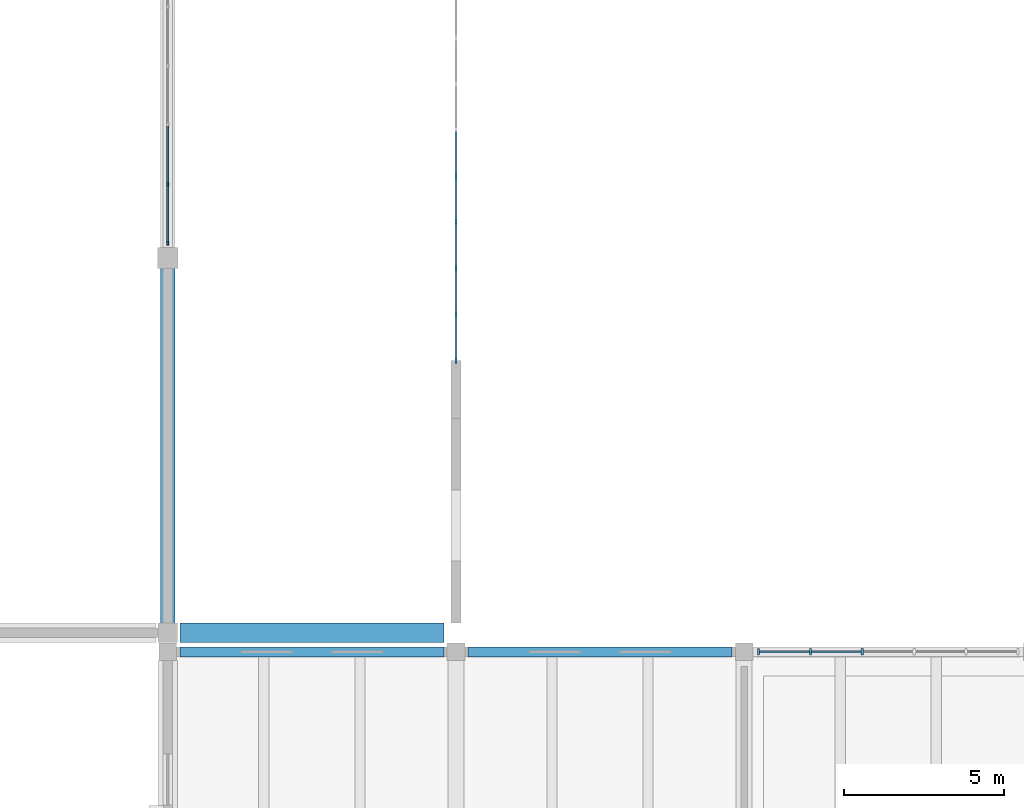
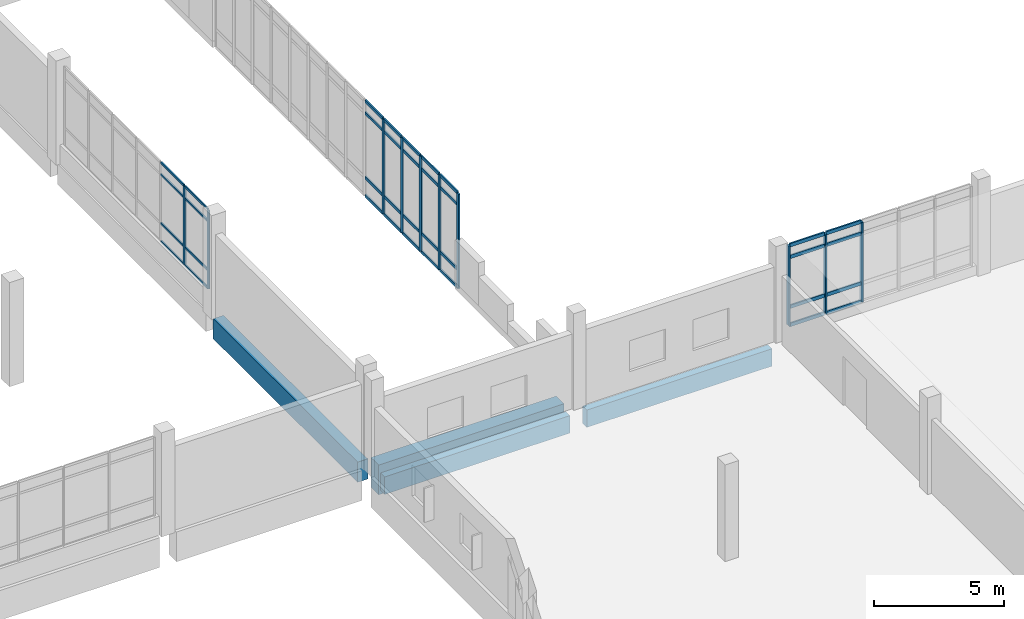
# One storey, part 19 of 63: 46 members, 4 beams, 3 elements without a shape of their own.
"""IFC4 building model written with IfcOpenShell, lengths in metres."""

import ifcopenshell
import ifcopenshell.guid

model = None  # the IFC model being written
_history = None  # IfcOwnerHistory: only IFC2X3 demands one
_inside = {}  # id of a spatial element -> (the spatial element, [elements in it])
_under = {}  # id of a project, library or spatial element -> (it, [spatial elements below it])
_declared = {}  # id of a project -> (the project, [libraries it declares])
_typed = {}  # id of a type object -> (the type object, [elements of that type])
_made_of = {}  # id of a material, layer set ... -> (it, [elements and type objects made of it])


def new_model(schema):
    """Start an empty IFC model of exactly this schema.

    Asked for "IFC4X3", IfcOpenShell would pick the latest addendum, in which some entities
    have other attributes; the version numbers below select the first issue.
    IFC2X3 requires an IfcOwnerHistory on every rooted entity: one is made here for all.
    """
    global model, _history
    if schema == "IFC4X3":
        model = ifcopenshell.file(schema_version=(4, 3, 0, 0))
    else:
        model = ifcopenshell.file(schema=schema)
    _inside.clear()
    _under.clear()
    _declared.clear()
    _typed.clear()
    _made_of.clear()
    _history = None
    if model.schema == "IFC2X3":
        org = make("IfcOrganization", Name="unknown")
        user = make(
            "IfcPersonAndOrganization",
            ThePerson=make("IfcPerson", FamilyName="unknown"),
            TheOrganization=org,
        )
        app = make(
            "IfcApplication",
            ApplicationDeveloper=org,
            Version="unknown",
            ApplicationFullName="unknown",
            ApplicationIdentifier="unknown",
        )
        _history = make(
            "IfcOwnerHistory",
            OwningUser=user,
            OwningApplication=app,
            ChangeAction="ADDED",
            CreationDate=0,
        )
    return model


def make(cls, **values):
    """One entity of the class cls with the attributes given. An attribute that is None is left unset."""
    return model.create_entity(
        cls, **{name: value for name, value in values.items() if value is not None}
    )


def rooted(cls, **values):
    """An entity with a GlobalId (a new one), such as an element, a storey or a relation."""
    return make(cls, GlobalId=ifcopenshell.guid.new(), OwnerHistory=_history, **values)


def si_unit(unit_type, name, prefix=None):
    """IfcSIUnit, for example si_unit("LENGTHUNIT", "METRE", prefix="MILLI")."""
    return make("IfcSIUnit", UnitType=unit_type, Prefix=prefix, Name=name)


def assignment(units):
    """IfcUnitAssignment: the units of a project."""
    return None if units is None else make("IfcUnitAssignment", Units=units)


def point(xyz):
    """IfcCartesianPoint."""
    return None if xyz is None else make("IfcCartesianPoint", Coordinates=xyz)


def direction(xyz):
    """IfcDirection."""
    return None if xyz is None else make("IfcDirection", DirectionRatios=xyz)


def frame(location, z_axis=None, x_axis=None):
    """IfcAxis2Placement3D, a coordinate frame: its origin and axes. An axis left out is left unset."""
    return make(
        "IfcAxis2Placement3D",
        Location=point(location),
        Axis=direction(z_axis),
        RefDirection=direction(x_axis),
    )


def frame_2d(location, x_axis=None):
    """IfcAxis2Placement2D, a coordinate frame in the plane: its origin and x axis."""
    return make(
        "IfcAxis2Placement2D", Location=point(location), RefDirection=direction(x_axis)
    )


def origin():
    """The frame at (0, 0, 0) with its axes left unset."""
    return frame((0.0, 0.0, 0.0))


def origin_2d():
    """The frame at (0, 0) in the plane with its x axis left unset."""
    return frame_2d((0.0, 0.0))


def place(relative_to, where):
    """IfcLocalPlacement: puts the frame where relative to a parent placement (None: the world)."""
    return make(
        "IfcLocalPlacement", PlacementRelTo=relative_to, RelativePlacement=where
    )


def context(
    kind, dimensions, precision=None, world=None, true_north=None, identifier=None
):
    """IfcGeometricRepresentationContext, for example the 3D "Model" context."""
    return make(
        "IfcGeometricRepresentationContext",
        ContextIdentifier=identifier,
        ContextType=kind,
        CoordinateSpaceDimension=dimensions,
        Precision=precision,
        WorldCoordinateSystem=world,
        TrueNorth=true_north,
    )


def subcontext(parent, identifier, kind, view, scale=None):
    """IfcGeometricRepresentationSubContext, for example "Body" below "Model"."""
    return make(
        "IfcGeometricRepresentationSubContext",
        ContextIdentifier=identifier,
        ContextType=kind,
        ParentContext=parent,
        TargetScale=scale,
        TargetView=view,
    )


def project(units=None, contexts=None):
    """IfcProject with its units and contexts."""
    return rooted(
        "IfcProject",
        Name="project",
        RepresentationContexts=contexts,
        UnitsInContext=assignment(units),
    )


def spatial(cls, under=None, at=None, **own):
    """A site, building, storey or space (cls), placed at a placement, below another one or the project."""
    s = rooted(cls, ObjectPlacement=at, **own)
    if under is not None:
        _under.setdefault(under.id(), (under, []))[1].append(s)
    return s


def profile(cls, at=None, kind="AREA", **sizes):
    """A parametric profile (cls). Its sizes go by their IFC names, for example OverallWidth=200.0."""
    return make(cls, ProfileType=kind, Position=at, **sizes)


def rectangle(**sizes):
    """IfcRectangleProfileDef."""
    return profile("IfcRectangleProfileDef", **sizes)


def extrude(swept, where, along, depth):
    """IfcExtrudedAreaSolid: the profile swept, set in the frame where, extruded along a direction by depth."""
    return make(
        "IfcExtrudedAreaSolid",
        SweptArea=swept,
        Position=where,
        ExtrudedDirection=direction(along),
        Depth=depth,
    )


def shape(context_of_items, identifier, shape_type, items):
    """IfcShapeRepresentation: the items that make up one representation, for example the "Body"."""
    return make(
        "IfcShapeRepresentation",
        ContextOfItems=context_of_items,
        RepresentationIdentifier=identifier,
        RepresentationType=shape_type,
        Items=items,
    )


def material(Name=None, Category=None):
    """IfcMaterial."""
    return make("IfcMaterial", Name=Name, Category=Category)


def layer(
    of_material, thickness, ventilated=None, Name=None, Category=None, Priority=None
):
    """IfcMaterialLayer: one layer of a wall or slab, of a material (None: an air gap)."""
    return make(
        "IfcMaterialLayer",
        Material=of_material,
        LayerThickness=thickness,
        IsVentilated=ventilated,
        Name=Name,
        Category=Category,
        Priority=Priority,
    )


def layer_set(layers, Name=None):
    """IfcMaterialLayerSet."""
    return make("IfcMaterialLayerSet", MaterialLayers=layers, LayerSetName=Name)


def material_profile(
    of_material, cross_section, Name=None, Category=None, Priority=None
):
    """IfcMaterialProfile: a cross section and its material."""
    return make(
        "IfcMaterialProfile",
        Name=Name,
        Material=of_material,
        Profile=cross_section,
        Priority=Priority,
        Category=Category,
    )


def profile_set(profiles, Name=None, composite=None):
    """IfcMaterialProfileSet."""
    return make(
        "IfcMaterialProfileSet",
        Name=Name,
        MaterialProfiles=profiles,
        CompositeProfile=composite,
    )


def made_of(thing, what):
    """Note that an element or type object is made of a material, layer set ...; save() writes the relation."""
    if what is not None:
        _made_of.setdefault(what.id(), (what, []))[1].append(thing)
    return thing


def type_object(cls, material=None, **own):
    """A type object (cls), such as IfcWallType, which elements share."""
    return made_of(rooted(cls, **own), material)


def element(
    cls,
    number,
    at=None,
    inside=None,
    cuts=None,
    type_object=None,
    material=None,
    context=None,
    identifier="Body",
    shape_type=None,
    held_by="IfcProductDefinitionShape",
    body=None,
    shapes=None,
    **own,
):
    """One element of the class cls, such as IfcWall. Its Tag is "e" and its number.

    at: its placement. inside: the storey or other place that contains it. cuts: it is an
    opening in that element (IfcRelVoidsElement). A single representation is given by context,
    identifier, shape_type and body (its items); several are given by shapes. held_by: the class
    of the entity that holds the representations. save() writes the other relations.
    """
    e = rooted(cls, Tag="e%d" % number, ObjectPlacement=at, **own)
    if body is not None:
        shapes = [shape(context, identifier, shape_type, body)]
    if shapes is not None:
        e.Representation = make(held_by, Representations=shapes)
    if inside is not None:
        _inside.setdefault(inside.id(), (inside, []))[1].append(e)
    if cuts is not None:
        rooted(
            "IfcRelVoidsElement", RelatingBuildingElement=cuts, RelatedOpeningElement=e
        )
    if type_object is not None:
        _typed.setdefault(type_object.id(), (type_object, []))[1].append(e)
    return made_of(e, material)


def aggregate(whole, parts):
    """IfcRelAggregates: a whole, such as a stair, and the parts it consists of."""
    return rooted("IfcRelAggregates", RelatingObject=whole, RelatedObjects=parts)


def save(model, path):
    """Write the relations noted so far, then the file.

    IfcRelAggregates (storeys below a building ...), IfcRelContainedInSpatialStructure (elements
    in a storey), IfcRelDefinesByType, IfcRelAssociatesMaterial and IfcRelDeclares: one each for
    every whole, place, type object, material and project.
    """
    for whole, parts in _under.values():
        aggregate(whole, parts)
    for where, things in _inside.values():
        rooted(
            "IfcRelContainedInSpatialStructure",
            RelatedElements=things,
            RelatingStructure=where,
        )
    for kind, things in _typed.values():
        rooted("IfcRelDefinesByType", RelatedObjects=things, RelatingType=kind)
    for what, things in _made_of.values():
        rooted("IfcRelAssociatesMaterial", RelatedObjects=things, RelatingMaterial=what)
    for by, libraries in _declared.values():
        rooted("IfcRelDeclares", RelatingContext=by, RelatedDefinitions=libraries)
    model.write(path)


model = new_model("IFC4")

# Units and contexts
model_context = context("Model", 3, precision=1e-05, world=origin(), true_north=direction((0.0, 1.0)))
body_context = subcontext(model_context, "Body", "Model", "MODEL_VIEW")
ifc_project = project(units=[si_unit("LENGTHUNIT", "METRE"), si_unit("AREAUNIT", "SQUARE_METRE"), si_unit("VOLUMEUNIT", "CUBIC_METRE"), si_unit("PLANEANGLEUNIT", "RADIAN"), si_unit("MASSUNIT", "GRAM", prefix="KILO")], contexts=[model_context])

# Site, building, storey
site_placement = place(None, origin())
site = spatial("IfcSite", under=ifc_project, at=site_placement, CompositionType="ELEMENT")
building_placement = place(site_placement, origin())
building = spatial("IfcBuilding", under=site, at=building_placement, Name="Zacnel Wholesale Market", CompositionType="ELEMENT")
storey_placement = place(building_placement, frame((0.0, 0.0, 11.199951171875)))
storey = spatial("IfcBuildingStorey", under=building, at=storey_placement, Name="L03", CompositionType="ELEMENT", Elevation=11.199951171875)

# Beams
ifc_material_1 = material(Name="Precast concrete C45/55", Category="concrete")
ifc_material_profile_1 = material_profile(ifc_material_1, rectangle(XDim=0.449951171875, YDim=0.949951171875, at=origin_2d()), Name="PG 450x950")
ifc_profile_set_1 = profile_set([ifc_material_profile_1], Name="Precast concrete C45/55")
beam_type_1 = type_object("IfcBeamType", Name="BM-PG950", PredefinedType="BEAM", material=ifc_profile_set_1)
beam_1_placement = place(storey_placement, frame((180.0, 96.580078125, -0.474853515625), z_axis=(0.0, 1.0, 0.0), x_axis=(-1.0, 0.0, 0.0)))
element("IfcBeam", 1, at=beam_1_placement, inside=storey, type_object=beam_type_1, Name="Crossing drum base girder Y-04", PredefinedType="BEAM", context=body_context, shape_type="SweptSolid", body=[
    extrude(rectangle(XDim=0.449951171875, YDim=0.949951171875, at=origin_2d()), origin(), (0.0, 0.0, 1.0), 11.139892578125),
])
ifc_material_2 = material(Name="Concrete C40/50", Category="concrete")
ifc_material_profile_2 = material_profile(ifc_material_2, rectangle(XDim=0.60009765625, YDim=1.39990234375, at=origin_2d()), Name="PTB 600x1400")
ifc_profile_set_2 = profile_set([ifc_material_profile_2], Name="Concrete C40/50")
beam_type_2 = type_object("IfcBeamType", Name="BM-PTB1400", PredefinedType="BEAM", material=ifc_profile_set_2)
beam_2_placement = place(storey_placement, frame((180.375, 96.300048828125, -0.699951171875), z_axis=(1.0, 0.0, 0.0), x_axis=(0.0, 1.0, 0.0)))
element("IfcBeam", 2, at=beam_2_placement, inside=storey, type_object=beam_type_2, Name="Precast girder X-0748", PredefinedType="BEAM", context=body_context, shape_type="SweptSolid", body=[
    extrude(rectangle(XDim=0.60009765625, YDim=1.39990234375, at=origin_2d()), origin(), (0.0, 0.0, 1.0), 8.25),
])
ifc_material_3 = material(Name="Precast concrete C45/55", Category="concrete")
ifc_material_profile_3 = material_profile(ifc_material_3, rectangle(XDim=0.320068359375, YDim=0.820068359375, at=origin_2d()), Name="SP 320x820")
ifc_profile_set_3 = profile_set([ifc_material_profile_3], Name="Precast concrete C45/55")
beam_type_3 = type_object("IfcBeamType", Name="BM-SP820", PredefinedType="SPANDREL", material=ifc_profile_set_3)
for number, where, z_axis, x_axis, name in (
    (3, (180.375, 95.699951171875, -0.68994140625), (1.0, 0.0, 0.0), (0.0, 1.0, 0.0), "Precast girder X-0726"),
    (4, (189.375, 95.699951171875, -0.68994140625), (1.0, 0.0, 0.0), (0.0, 1.0, 0.0), "Precast girder X-0727"),
):
    element("IfcBeam", number, at=place(storey_placement, frame(where, z_axis=z_axis, x_axis=x_axis)), inside=storey, type_object=beam_type_3, Name=name, PredefinedType="SPANDREL", context=body_context, shape_type="SweptSolid", body=[
        extrude(rectangle(XDim=0.320068359375, YDim=0.820068359375, at=origin_2d()), origin(), (0.0, 0.0, 1.0), 8.25),
    ])

# Curtain wall, members
ifc_material_4 = material(Name="Anodised aluminium", Category="aluminium")
ifc_layer_1 = layer(ifc_material_4, 0.159912109375)
ifc_layer_set_1 = layer_set([ifc_layer_1], Name="Anodised aluminium")
curtain_wall_type_1 = type_object("IfcCurtainWallType", Name="CW-COURT-4500", PredefinedType="NOTDEFINED", material=ifc_layer_set_1)
curtain_wall_1_placement = place(storey_placement, origin())
curtain_wall_1 = element("IfcCurtainWall", 5, at=curtain_wall_1_placement, inside=storey, type_object=curtain_wall_type_1, Name="Curtain wall ENV-R2-CW-L03-050", PredefinedType="NOTDEFINED")
ifc_material_5 = material(Name="Anodised aluminium", Category="aluminium")
ifc_material_profile_4 = material_profile(ifc_material_5, rectangle(XDim=0.070068359375, YDim=0.199951171875, at=origin_2d()), Name="AW-MULLION 70x200")
ifc_profile_set_4 = profile_set([ifc_material_profile_4], Name="Anodised aluminium")
member_type_1 = type_object("IfcMemberType", Name="CWM-MUL-02", PredefinedType="MULLION", material=ifc_profile_set_4)
member_1_placement = place(storey_placement, frame((198.449951171875, 95.699951171875, 0.449951171875), z_axis=(0.0, 0.0, 1.0), x_axis=(1.0, 0.0, 0.0)))
member_1 = element("IfcMember", 6, at=member_1_placement, type_object=member_type_1, Name="ENV-R2-CW-L03-050 mullion 01", PredefinedType="MULLION", context=body_context, shape_type="SweptSolid", body=[
    extrude(rectangle(XDim=0.070068359375, YDim=0.199951171875, at=origin_2d()), origin(), (0.0, 0.0, 1.0), 3.75),
])
member_2_placement = place(storey_placement, frame((200.070068359375, 95.699951171875, 0.449951171875), z_axis=(0.0, 0.0, 1.0), x_axis=(1.0, 0.0, 0.0)))
member_2 = element("IfcMember", 7, at=member_2_placement, type_object=member_type_1, Name="ENV-R2-CW-L03-050 mullion 02", PredefinedType="MULLION", context=body_context, shape_type="SweptSolid", body=[
    extrude(rectangle(XDim=0.070068359375, YDim=0.199951171875, at=origin_2d()), origin(), (0.0, 0.0, 1.0), 3.75),
])
member_3_placement = place(storey_placement, frame((201.68994140625, 95.699951171875, 0.449951171875), z_axis=(0.0, 0.0, 1.0), x_axis=(1.0, 0.0, 0.0)))
member_3 = element("IfcMember", 8, at=member_3_placement, type_object=member_type_1, Name="ENV-R2-CW-L03-050 mullion 03", PredefinedType="MULLION", context=body_context, shape_type="SweptSolid", body=[
    extrude(rectangle(XDim=0.070068359375, YDim=0.199951171875, at=origin_2d()), origin(), (0.0, 0.0, 1.0), 3.75),
])

ifc_material_6 = material(Name="Anodised aluminium", Category="aluminium")
ifc_layer_2 = layer(ifc_material_6, 0.159912109375)
ifc_layer_set_2 = layer_set([ifc_layer_2], Name="Anodised aluminium")
curtain_wall_type_2 = type_object("IfcCurtainWallType", Name="CW-NAVE-4200", PredefinedType="NOTDEFINED", material=ifc_layer_set_2)
curtain_wall_2_placement = place(storey_placement, origin())
curtain_wall_2 = element("IfcCurtainWall", 9, at=curtain_wall_2_placement, inside=storey, type_object=curtain_wall_type_2, Name="Curtain wall ENV-CW-GABLE-NW-E", PredefinedType="NOTDEFINED")
ifc_material_7 = material(Name="Anodised aluminium", Category="aluminium")
ifc_material_profile_5 = material_profile(ifc_material_7, rectangle(XDim=0.06494140625, YDim=0.179931640625, at=origin_2d()), Name="AW-MULLION 65x180")
ifc_profile_set_5 = profile_set([ifc_material_profile_5], Name="Anodised aluminium")
member_type_2 = type_object("IfcMemberType", Name="CWM-MUL-03", PredefinedType="MULLION", material=ifc_profile_set_5)
member_4_placement = place(storey_placement, frame((189.0, 104.800048828125, 0.0), z_axis=(0.0, 0.0, 1.0), x_axis=(1.0, 0.0, 0.0)))
member_4 = element("IfcMember", 10, at=member_4_placement, type_object=member_type_2, Name="ENV-CW-GABLE-NW-E mullion 01", PredefinedType="MULLION", context=body_context, shape_type="SweptSolid", body=[
    extrude(rectangle(XDim=0.06494140625, YDim=0.179931640625, at=origin_2d()), origin(), (0.0, 0.0, 1.0), 4.449951171875),
])
member_5_placement = place(storey_placement, frame((189.0, 106.238525390625, 0.0), z_axis=(0.0, 0.0, 1.0), x_axis=(1.0, 0.0, 0.0)))
member_5 = element("IfcMember", 11, at=member_5_placement, type_object=member_type_2, Name="ENV-CW-GABLE-NW-E mullion 02", PredefinedType="MULLION", context=body_context, shape_type="SweptSolid", body=[
    extrude(rectangle(XDim=0.06494140625, YDim=0.179931640625, at=origin_2d()), origin(), (0.0, 0.0, 1.0), 4.449951171875),
])
member_6_placement = place(storey_placement, frame((189.0, 107.677001953125, 0.0), z_axis=(0.0, 0.0, 1.0), x_axis=(1.0, 0.0, 0.0)))
member_6 = element("IfcMember", 12, at=member_6_placement, type_object=member_type_2, Name="ENV-CW-GABLE-NW-E mullion 03", PredefinedType="MULLION", context=body_context, shape_type="SweptSolid", body=[
    extrude(rectangle(XDim=0.06494140625, YDim=0.179931640625, at=origin_2d()), origin(), (0.0, 0.0, 1.0), 4.449951171875),
])
member_7_placement = place(storey_placement, frame((189.0, 109.115478515625, 0.0), z_axis=(0.0, 0.0, 1.0), x_axis=(1.0, 0.0, 0.0)))
member_7 = element("IfcMember", 13, at=member_7_placement, type_object=member_type_2, Name="ENV-CW-GABLE-NW-E mullion 04", PredefinedType="MULLION", context=body_context, shape_type="SweptSolid", body=[
    extrude(rectangle(XDim=0.06494140625, YDim=0.179931640625, at=origin_2d()), origin(), (0.0, 0.0, 1.0), 4.449951171875),
])
member_8_placement = place(storey_placement, frame((189.0, 110.5537109375, 0.0), z_axis=(0.0, 0.0, 1.0), x_axis=(1.0, 0.0, 0.0)))
member_8 = element("IfcMember", 14, at=member_8_placement, type_object=member_type_2, Name="ENV-CW-GABLE-NW-E mullion 05", PredefinedType="MULLION", context=body_context, shape_type="SweptSolid", body=[
    extrude(rectangle(XDim=0.06494140625, YDim=0.179931640625, at=origin_2d()), origin(), (0.0, 0.0, 1.0), 4.449951171875),
])

ifc_material_8 = material(Name="Anodised aluminium", Category="aluminium")
ifc_layer_3 = layer(ifc_material_8, 0.14990234375)
ifc_layer_set_3 = layer_set([ifc_layer_3], Name="Anodised aluminium")
curtain_wall_type_3 = type_object("IfcCurtainWallType", Name="CW-CLER-3600", PredefinedType="NOTDEFINED", material=ifc_layer_set_3)
curtain_wall_3_placement = place(storey_placement, origin())
curtain_wall_3 = element("IfcCurtainWall", 15, at=curtain_wall_3_placement, inside=storey, type_object=curtain_wall_type_3, Name="Curtain wall ENV-CW-XDRUM-E-2", PredefinedType="NOTDEFINED")
ifc_material_9 = material(Name="Anodised aluminium", Category="aluminium")
ifc_material_profile_6 = material_profile(ifc_material_9, rectangle(XDim=0.06005859375, YDim=0.1298828125, at=origin_2d()), Name="AW-MULLION 60x130")
ifc_profile_set_6 = profile_set([ifc_material_profile_6], Name="Anodised aluminium")
member_type_3 = type_object("IfcMemberType", Name="CWM-MUL-06", PredefinedType="MULLION", material=ifc_profile_set_6)
member_9_placement = place(storey_placement, frame((180.0, 108.4599609375, 0.900146484375), z_axis=(0.0, 0.0, 1.0), x_axis=(1.0, 0.0, 0.0)))
member_9 = element("IfcMember", 16, at=member_9_placement, type_object=member_type_3, Name="ENV-CW-XDRUM-E-2 mullion 01", PredefinedType="MULLION", context=body_context, shape_type="SweptSolid", body=[
    extrude(rectangle(XDim=0.06005859375, YDim=0.1298828125, at=origin_2d()), origin(), (0.0, 0.0, 1.0), 3.699951171875),
])
member_10_placement = place(storey_placement, frame((180.0, 110.306640625, 0.900146484375), z_axis=(0.0, 0.0, 1.0), x_axis=(1.0, 0.0, 0.0)))
member_10 = element("IfcMember", 17, at=member_10_placement, type_object=member_type_3, Name="ENV-CW-XDRUM-E-2 mullion 02", PredefinedType="MULLION", context=body_context, shape_type="SweptSolid", body=[
    extrude(rectangle(XDim=0.06005859375, YDim=0.1298828125, at=origin_2d()), origin(), (0.0, 0.0, 1.0), 3.699951171875),
])

# Member
ifc_material_10 = material(Name="Anodised aluminium", Category="aluminium")
ifc_material_profile_7 = material_profile(ifc_material_10, rectangle(XDim=0.070068359375, YDim=0.159912109375, at=origin_2d()), Name="AW-TRANSOM 70x160")
ifc_profile_set_7 = profile_set([ifc_material_profile_7], Name="Anodised aluminium")
member_type_4 = type_object("IfcMemberType", Name="CWM-TRN-02", PredefinedType="USERDEFINED", material=ifc_profile_set_7)
member_11_placement = place(storey_placement, frame((198.485107421875, 95.699951171875, 0.449951171875), z_axis=(1.0, 0.0, 0.0), x_axis=(0.0, 1.0, 0.0)))
member_11 = element("IfcMember", 18, at=member_11_placement, type_object=member_type_4, Name="ENV-R2-CW-L03-050 transom 1-1", ObjectType="TRANSOM", PredefinedType="USERDEFINED", context=body_context, shape_type="SweptSolid", body=[
    extrude(rectangle(XDim=0.070068359375, YDim=0.159912109375, at=origin_2d()), origin(), (0.0, 0.0, 1.0), 1.5498046875),
])

member_12_placement = place(storey_placement, frame((198.485107421875, 95.699951171875, 1.300048828125), z_axis=(1.0, 0.0, 0.0), x_axis=(0.0, 1.0, 0.0)))
member_12 = element("IfcMember", 19, at=member_12_placement, type_object=member_type_4, Name="ENV-R2-CW-L03-050 transom 1-2", ObjectType="TRANSOM", PredefinedType="USERDEFINED", context=body_context, shape_type="SweptSolid", body=[
    extrude(rectangle(XDim=0.070068359375, YDim=0.159912109375, at=origin_2d()), origin(), (0.0, 0.0, 1.0), 1.5498046875),
])

member_13_placement = place(storey_placement, frame((198.485107421875, 95.699951171875, 3.650146484375), z_axis=(1.0, 0.0, 0.0), x_axis=(0.0, 1.0, 0.0)))
member_13 = element("IfcMember", 20, at=member_13_placement, type_object=member_type_4, Name="ENV-R2-CW-L03-050 transom 1-3", ObjectType="TRANSOM", PredefinedType="USERDEFINED", context=body_context, shape_type="SweptSolid", body=[
    extrude(rectangle(XDim=0.070068359375, YDim=0.159912109375, at=origin_2d()), origin(), (0.0, 0.0, 1.0), 1.5498046875),
])

member_14_placement = place(storey_placement, frame((198.485107421875, 95.699951171875, 4.199951171875), z_axis=(1.0, 0.0, 0.0), x_axis=(0.0, 1.0, 0.0)))
member_14 = element("IfcMember", 21, at=member_14_placement, type_object=member_type_4, Name="ENV-R2-CW-L03-050 transom 1-4", ObjectType="TRANSOM", PredefinedType="USERDEFINED", context=body_context, shape_type="SweptSolid", body=[
    extrude(rectangle(XDim=0.070068359375, YDim=0.159912109375, at=origin_2d()), origin(), (0.0, 0.0, 1.0), 1.5498046875),
])

member_15_placement = place(storey_placement, frame((200.10498046875, 95.699951171875, 0.449951171875), z_axis=(1.0, 0.0, 0.0), x_axis=(0.0, 1.0, 0.0)))
member_15 = element("IfcMember", 22, at=member_15_placement, type_object=member_type_4, Name="ENV-R2-CW-L03-050 transom 2-1", ObjectType="TRANSOM", PredefinedType="USERDEFINED", context=body_context, shape_type="SweptSolid", body=[
    extrude(rectangle(XDim=0.070068359375, YDim=0.159912109375, at=origin_2d()), origin(), (0.0, 0.0, 1.0), 1.550048828125),
])

member_16_placement = place(storey_placement, frame((200.10498046875, 95.699951171875, 1.300048828125), z_axis=(1.0, 0.0, 0.0), x_axis=(0.0, 1.0, 0.0)))
member_16 = element("IfcMember", 23, at=member_16_placement, type_object=member_type_4, Name="ENV-R2-CW-L03-050 transom 2-2", ObjectType="TRANSOM", PredefinedType="USERDEFINED", context=body_context, shape_type="SweptSolid", body=[
    extrude(rectangle(XDim=0.070068359375, YDim=0.159912109375, at=origin_2d()), origin(), (0.0, 0.0, 1.0), 1.550048828125),
])

member_17_placement = place(storey_placement, frame((200.10498046875, 95.699951171875, 3.650146484375), z_axis=(1.0, 0.0, 0.0), x_axis=(0.0, 1.0, 0.0)))
member_17 = element("IfcMember", 24, at=member_17_placement, type_object=member_type_4, Name="ENV-R2-CW-L03-050 transom 2-3", ObjectType="TRANSOM", PredefinedType="USERDEFINED", context=body_context, shape_type="SweptSolid", body=[
    extrude(rectangle(XDim=0.070068359375, YDim=0.159912109375, at=origin_2d()), origin(), (0.0, 0.0, 1.0), 1.550048828125),
])

member_18_placement = place(storey_placement, frame((200.10498046875, 95.699951171875, 4.199951171875), z_axis=(1.0, 0.0, 0.0), x_axis=(0.0, 1.0, 0.0)))
member_18 = element("IfcMember", 25, at=member_18_placement, type_object=member_type_4, Name="ENV-R2-CW-L03-050 transom 2-4", ObjectType="TRANSOM", PredefinedType="USERDEFINED", context=body_context, shape_type="SweptSolid", body=[
    extrude(rectangle(XDim=0.070068359375, YDim=0.159912109375, at=origin_2d()), origin(), (0.0, 0.0, 1.0), 1.550048828125),
])

aggregate(curtain_wall_1, [member_1, member_2, member_3, member_11, member_12, member_13, member_14, member_15, member_16, member_17, member_18])

ifc_material_11 = material(Name="Anodised aluminium", Category="aluminium")
ifc_material_profile_8 = material_profile(ifc_material_11, rectangle(XDim=0.06494140625, YDim=0.139892578125, at=origin_2d()), Name="AW-TRANSOM 65x140")
ifc_profile_set_8 = profile_set([ifc_material_profile_8], Name="Anodised aluminium")
member_type_5 = type_object("IfcMemberType", Name="CWM-TRN-03", PredefinedType="USERDEFINED", material=ifc_profile_set_8)
member_19_placement = place(storey_placement, frame((189.0, 104.8349609375, 0.0), z_axis=(0.0, 1.0, 0.0), x_axis=(-1.0, 0.0, 0.0)))
member_19 = element("IfcMember", 26, at=member_19_placement, type_object=member_type_5, Name="ENV-CW-GABLE-NW-E transom 1-1", ObjectType="TRANSOM", PredefinedType="USERDEFINED", context=body_context, shape_type="SweptSolid", body=[
    extrude(rectangle(XDim=0.06494140625, YDim=0.139892578125, at=origin_2d()), origin(), (0.0, 0.0, 1.0), 1.36865234375),
])

member_20_placement = place(storey_placement, frame((189.0, 104.8349609375, 0.85009765625), z_axis=(0.0, 1.0, 0.0), x_axis=(-1.0, 0.0, 0.0)))
member_20 = element("IfcMember", 27, at=member_20_placement, type_object=member_type_5, Name="ENV-CW-GABLE-NW-E transom 1-2", ObjectType="TRANSOM", PredefinedType="USERDEFINED", context=body_context, shape_type="SweptSolid", body=[
    extrude(rectangle(XDim=0.06494140625, YDim=0.139892578125, at=origin_2d()), origin(), (0.0, 0.0, 1.0), 1.36865234375),
])

member_21_placement = place(storey_placement, frame((189.0, 104.8349609375, 3.900146484375), z_axis=(0.0, 1.0, 0.0), x_axis=(-1.0, 0.0, 0.0)))
member_21 = element("IfcMember", 28, at=member_21_placement, type_object=member_type_5, Name="ENV-CW-GABLE-NW-E transom 1-3", ObjectType="TRANSOM", PredefinedType="USERDEFINED", context=body_context, shape_type="SweptSolid", body=[
    extrude(rectangle(XDim=0.06494140625, YDim=0.139892578125, at=origin_2d()), origin(), (0.0, 0.0, 1.0), 1.36865234375),
])

member_22_placement = place(storey_placement, frame((189.0, 104.8349609375, 4.449951171875), z_axis=(0.0, 1.0, 0.0), x_axis=(-1.0, 0.0, 0.0)))
member_22 = element("IfcMember", 29, at=member_22_placement, type_object=member_type_5, Name="ENV-CW-GABLE-NW-E transom 1-4", ObjectType="TRANSOM", PredefinedType="USERDEFINED", context=body_context, shape_type="SweptSolid", body=[
    extrude(rectangle(XDim=0.06494140625, YDim=0.139892578125, at=origin_2d()), origin(), (0.0, 0.0, 1.0), 1.36865234375),
])

member_23_placement = place(storey_placement, frame((189.0, 106.2734375, 0.0), z_axis=(0.0, 1.0, 0.0), x_axis=(-1.0, 0.0, 0.0)))
member_23 = element("IfcMember", 30, at=member_23_placement, type_object=member_type_5, Name="ENV-CW-GABLE-NW-E transom 2-1", ObjectType="TRANSOM", PredefinedType="USERDEFINED", context=body_context, shape_type="SweptSolid", body=[
    extrude(rectangle(XDim=0.06494140625, YDim=0.139892578125, at=origin_2d()), origin(), (0.0, 0.0, 1.0), 1.368408203125),
])

member_24_placement = place(storey_placement, frame((189.0, 106.2734375, 0.85009765625), z_axis=(0.0, 1.0, 0.0), x_axis=(-1.0, 0.0, 0.0)))
member_24 = element("IfcMember", 31, at=member_24_placement, type_object=member_type_5, Name="ENV-CW-GABLE-NW-E transom 2-2", ObjectType="TRANSOM", PredefinedType="USERDEFINED", context=body_context, shape_type="SweptSolid", body=[
    extrude(rectangle(XDim=0.06494140625, YDim=0.139892578125, at=origin_2d()), origin(), (0.0, 0.0, 1.0), 1.368408203125),
])

member_25_placement = place(storey_placement, frame((189.0, 106.2734375, 3.900146484375), z_axis=(0.0, 1.0, 0.0), x_axis=(-1.0, 0.0, 0.0)))
member_25 = element("IfcMember", 32, at=member_25_placement, type_object=member_type_5, Name="ENV-CW-GABLE-NW-E transom 2-3", ObjectType="TRANSOM", PredefinedType="USERDEFINED", context=body_context, shape_type="SweptSolid", body=[
    extrude(rectangle(XDim=0.06494140625, YDim=0.139892578125, at=origin_2d()), origin(), (0.0, 0.0, 1.0), 1.368408203125),
])

member_26_placement = place(storey_placement, frame((189.0, 106.2734375, 4.449951171875), z_axis=(0.0, 1.0, 0.0), x_axis=(-1.0, 0.0, 0.0)))
member_26 = element("IfcMember", 33, at=member_26_placement, type_object=member_type_5, Name="ENV-CW-GABLE-NW-E transom 2-4", ObjectType="TRANSOM", PredefinedType="USERDEFINED", context=body_context, shape_type="SweptSolid", body=[
    extrude(rectangle(XDim=0.06494140625, YDim=0.139892578125, at=origin_2d()), origin(), (0.0, 0.0, 1.0), 1.368408203125),
])

member_27_placement = place(storey_placement, frame((189.0, 107.7119140625, 0.0), z_axis=(0.0, 1.0, 0.0), x_axis=(-1.0, 0.0, 0.0)))
member_27 = element("IfcMember", 34, at=member_27_placement, type_object=member_type_5, Name="ENV-CW-GABLE-NW-E transom 3-1", ObjectType="TRANSOM", PredefinedType="USERDEFINED", context=body_context, shape_type="SweptSolid", body=[
    extrude(rectangle(XDim=0.06494140625, YDim=0.139892578125, at=origin_2d()), origin(), (0.0, 0.0, 1.0), 1.368408203125),
])

member_28_placement = place(storey_placement, frame((189.0, 107.7119140625, 0.85009765625), z_axis=(0.0, 1.0, 0.0), x_axis=(-1.0, 0.0, 0.0)))
member_28 = element("IfcMember", 35, at=member_28_placement, type_object=member_type_5, Name="ENV-CW-GABLE-NW-E transom 3-2", ObjectType="TRANSOM", PredefinedType="USERDEFINED", context=body_context, shape_type="SweptSolid", body=[
    extrude(rectangle(XDim=0.06494140625, YDim=0.139892578125, at=origin_2d()), origin(), (0.0, 0.0, 1.0), 1.368408203125),
])

member_29_placement = place(storey_placement, frame((189.0, 107.7119140625, 3.900146484375), z_axis=(0.0, 1.0, 0.0), x_axis=(-1.0, 0.0, 0.0)))
member_29 = element("IfcMember", 36, at=member_29_placement, type_object=member_type_5, Name="ENV-CW-GABLE-NW-E transom 3-3", ObjectType="TRANSOM", PredefinedType="USERDEFINED", context=body_context, shape_type="SweptSolid", body=[
    extrude(rectangle(XDim=0.06494140625, YDim=0.139892578125, at=origin_2d()), origin(), (0.0, 0.0, 1.0), 1.368408203125),
])

member_30_placement = place(storey_placement, frame((189.0, 107.7119140625, 4.449951171875), z_axis=(0.0, 1.0, 0.0), x_axis=(-1.0, 0.0, 0.0)))
member_30 = element("IfcMember", 37, at=member_30_placement, type_object=member_type_5, Name="ENV-CW-GABLE-NW-E transom 3-4", ObjectType="TRANSOM", PredefinedType="USERDEFINED", context=body_context, shape_type="SweptSolid", body=[
    extrude(rectangle(XDim=0.06494140625, YDim=0.139892578125, at=origin_2d()), origin(), (0.0, 0.0, 1.0), 1.368408203125),
])

member_31_placement = place(storey_placement, frame((189.0, 109.150390625, 0.0), z_axis=(0.0, 1.0, 0.0), x_axis=(-1.0, 0.0, 0.0)))
member_31 = element("IfcMember", 38, at=member_31_placement, type_object=member_type_5, Name="ENV-CW-GABLE-NW-E transom 4-1", ObjectType="TRANSOM", PredefinedType="USERDEFINED", context=body_context, shape_type="SweptSolid", body=[
    extrude(rectangle(XDim=0.06494140625, YDim=0.139892578125, at=origin_2d()), origin(), (0.0, 0.0, 1.0), 1.368408203125),
])

member_32_placement = place(storey_placement, frame((189.0, 109.150390625, 0.85009765625), z_axis=(0.0, 1.0, 0.0), x_axis=(-1.0, 0.0, 0.0)))
member_32 = element("IfcMember", 39, at=member_32_placement, type_object=member_type_5, Name="ENV-CW-GABLE-NW-E transom 4-2", ObjectType="TRANSOM", PredefinedType="USERDEFINED", context=body_context, shape_type="SweptSolid", body=[
    extrude(rectangle(XDim=0.06494140625, YDim=0.139892578125, at=origin_2d()), origin(), (0.0, 0.0, 1.0), 1.368408203125),
])

member_33_placement = place(storey_placement, frame((189.0, 109.150390625, 3.900146484375), z_axis=(0.0, 1.0, 0.0), x_axis=(-1.0, 0.0, 0.0)))
member_33 = element("IfcMember", 40, at=member_33_placement, type_object=member_type_5, Name="ENV-CW-GABLE-NW-E transom 4-3", ObjectType="TRANSOM", PredefinedType="USERDEFINED", context=body_context, shape_type="SweptSolid", body=[
    extrude(rectangle(XDim=0.06494140625, YDim=0.139892578125, at=origin_2d()), origin(), (0.0, 0.0, 1.0), 1.368408203125),
])

member_34_placement = place(storey_placement, frame((189.0, 109.150390625, 4.449951171875), z_axis=(0.0, 1.0, 0.0), x_axis=(-1.0, 0.0, 0.0)))
member_34 = element("IfcMember", 41, at=member_34_placement, type_object=member_type_5, Name="ENV-CW-GABLE-NW-E transom 4-4", ObjectType="TRANSOM", PredefinedType="USERDEFINED", context=body_context, shape_type="SweptSolid", body=[
    extrude(rectangle(XDim=0.06494140625, YDim=0.139892578125, at=origin_2d()), origin(), (0.0, 0.0, 1.0), 1.368408203125),
])

member_35_placement = place(storey_placement, frame((189.0, 110.5888671875, 0.0), z_axis=(0.0, 1.0, 0.0), x_axis=(-1.0, 0.0, 0.0)))
member_35 = element("IfcMember", 42, at=member_35_placement, type_object=member_type_5, Name="ENV-CW-GABLE-NW-E transom 5-1", ObjectType="TRANSOM", PredefinedType="USERDEFINED", context=body_context, shape_type="SweptSolid", body=[
    extrude(rectangle(XDim=0.06494140625, YDim=0.139892578125, at=origin_2d()), origin(), (0.0, 0.0, 1.0), 1.368408203125),
])

member_36_placement = place(storey_placement, frame((189.0, 110.5888671875, 0.85009765625), z_axis=(0.0, 1.0, 0.0), x_axis=(-1.0, 0.0, 0.0)))
member_36 = element("IfcMember", 43, at=member_36_placement, type_object=member_type_5, Name="ENV-CW-GABLE-NW-E transom 5-2", ObjectType="TRANSOM", PredefinedType="USERDEFINED", context=body_context, shape_type="SweptSolid", body=[
    extrude(rectangle(XDim=0.06494140625, YDim=0.139892578125, at=origin_2d()), origin(), (0.0, 0.0, 1.0), 1.368408203125),
])

member_37_placement = place(storey_placement, frame((189.0, 110.5888671875, 3.900146484375), z_axis=(0.0, 1.0, 0.0), x_axis=(-1.0, 0.0, 0.0)))
member_37 = element("IfcMember", 44, at=member_37_placement, type_object=member_type_5, Name="ENV-CW-GABLE-NW-E transom 5-3", ObjectType="TRANSOM", PredefinedType="USERDEFINED", context=body_context, shape_type="SweptSolid", body=[
    extrude(rectangle(XDim=0.06494140625, YDim=0.139892578125, at=origin_2d()), origin(), (0.0, 0.0, 1.0), 1.368408203125),
])

member_38_placement = place(storey_placement, frame((189.0, 110.5888671875, 4.449951171875), z_axis=(0.0, 1.0, 0.0), x_axis=(-1.0, 0.0, 0.0)))
member_38 = element("IfcMember", 45, at=member_38_placement, type_object=member_type_5, Name="ENV-CW-GABLE-NW-E transom 5-4", ObjectType="TRANSOM", PredefinedType="USERDEFINED", context=body_context, shape_type="SweptSolid", body=[
    extrude(rectangle(XDim=0.06494140625, YDim=0.139892578125, at=origin_2d()), origin(), (0.0, 0.0, 1.0), 1.368408203125),
])

aggregate(curtain_wall_2, [member_4, member_5, member_6, member_7, member_8, member_19, member_20, member_21, member_22, member_23, member_24, member_25, member_26, member_27, member_28, member_29, member_30, member_31, member_32, member_33, member_34, member_35, member_36, member_37, member_38])

ifc_material_12 = material(Name="Anodised aluminium", Category="aluminium")
ifc_material_profile_9 = material_profile(ifc_material_12, rectangle(XDim=0.06005859375, YDim=0.10009765625, at=origin_2d()), Name="AW-TRANSOM 60x100")
ifc_profile_set_9 = profile_set([ifc_material_profile_9], Name="Anodised aluminium")
member_type_6 = type_object("IfcMemberType", Name="CWM-TRN-06", PredefinedType="USERDEFINED", material=ifc_profile_set_9)
member_39_placement = place(storey_placement, frame((180.0, 108.4951171875, 0.900146484375), z_axis=(0.0, 1.0, 0.0), x_axis=(-1.0, 0.0, 0.0)))
member_39 = element("IfcMember", 46, at=member_39_placement, type_object=member_type_6, Name="ENV-CW-XDRUM-E-2 transom 1-1", ObjectType="TRANSOM", PredefinedType="USERDEFINED", context=body_context, shape_type="SweptSolid", body=[
    extrude(rectangle(XDim=0.06005859375, YDim=0.10009765625, at=origin_2d()), origin(), (0.0, 0.0, 1.0), 1.776611328125),
])

member_40_placement = place(storey_placement, frame((180.0, 108.4951171875, 1.75), z_axis=(0.0, 1.0, 0.0), x_axis=(-1.0, 0.0, 0.0)))
member_40 = element("IfcMember", 47, at=member_40_placement, type_object=member_type_6, Name="ENV-CW-XDRUM-E-2 transom 1-2", ObjectType="TRANSOM", PredefinedType="USERDEFINED", context=body_context, shape_type="SweptSolid", body=[
    extrude(rectangle(XDim=0.06005859375, YDim=0.10009765625, at=origin_2d()), origin(), (0.0, 0.0, 1.0), 1.776611328125),
])

member_41_placement = place(storey_placement, frame((180.0, 108.4951171875, 4.050048828125), z_axis=(0.0, 1.0, 0.0), x_axis=(-1.0, 0.0, 0.0)))
member_41 = element("IfcMember", 48, at=member_41_placement, type_object=member_type_6, Name="ENV-CW-XDRUM-E-2 transom 1-3", ObjectType="TRANSOM", PredefinedType="USERDEFINED", context=body_context, shape_type="SweptSolid", body=[
    extrude(rectangle(XDim=0.06005859375, YDim=0.10009765625, at=origin_2d()), origin(), (0.0, 0.0, 1.0), 1.776611328125),
])

member_42_placement = place(storey_placement, frame((180.0, 108.4951171875, 4.60009765625), z_axis=(0.0, 1.0, 0.0), x_axis=(-1.0, 0.0, 0.0)))
member_42 = element("IfcMember", 49, at=member_42_placement, type_object=member_type_6, Name="ENV-CW-XDRUM-E-2 transom 1-4", ObjectType="TRANSOM", PredefinedType="USERDEFINED", context=body_context, shape_type="SweptSolid", body=[
    extrude(rectangle(XDim=0.06005859375, YDim=0.10009765625, at=origin_2d()), origin(), (0.0, 0.0, 1.0), 1.776611328125),
])

member_43_placement = place(storey_placement, frame((180.0, 110.341796875, 0.900146484375), z_axis=(0.0, 1.0, 0.0), x_axis=(-1.0, 0.0, 0.0)))
member_43 = element("IfcMember", 50, at=member_43_placement, type_object=member_type_6, Name="ENV-CW-XDRUM-E-2 transom 2-1", ObjectType="TRANSOM", PredefinedType="USERDEFINED", context=body_context, shape_type="SweptSolid", body=[
    extrude(rectangle(XDim=0.06005859375, YDim=0.10009765625, at=origin_2d()), origin(), (0.0, 0.0, 1.0), 1.776611328125),
])

member_44_placement = place(storey_placement, frame((180.0, 110.341796875, 1.75), z_axis=(0.0, 1.0, 0.0), x_axis=(-1.0, 0.0, 0.0)))
member_44 = element("IfcMember", 51, at=member_44_placement, type_object=member_type_6, Name="ENV-CW-XDRUM-E-2 transom 2-2", ObjectType="TRANSOM", PredefinedType="USERDEFINED", context=body_context, shape_type="SweptSolid", body=[
    extrude(rectangle(XDim=0.06005859375, YDim=0.10009765625, at=origin_2d()), origin(), (0.0, 0.0, 1.0), 1.776611328125),
])

member_45_placement = place(storey_placement, frame((180.0, 110.341796875, 4.050048828125), z_axis=(0.0, 1.0, 0.0), x_axis=(-1.0, 0.0, 0.0)))
member_45 = element("IfcMember", 52, at=member_45_placement, type_object=member_type_6, Name="ENV-CW-XDRUM-E-2 transom 2-3", ObjectType="TRANSOM", PredefinedType="USERDEFINED", context=body_context, shape_type="SweptSolid", body=[
    extrude(rectangle(XDim=0.06005859375, YDim=0.10009765625, at=origin_2d()), origin(), (0.0, 0.0, 1.0), 1.776611328125),
])

member_46_placement = place(storey_placement, frame((180.0, 110.341796875, 4.60009765625), z_axis=(0.0, 1.0, 0.0), x_axis=(-1.0, 0.0, 0.0)))
member_46 = element("IfcMember", 53, at=member_46_placement, type_object=member_type_6, Name="ENV-CW-XDRUM-E-2 transom 2-4", ObjectType="TRANSOM", PredefinedType="USERDEFINED", context=body_context, shape_type="SweptSolid", body=[
    extrude(rectangle(XDim=0.06005859375, YDim=0.10009765625, at=origin_2d()), origin(), (0.0, 0.0, 1.0), 1.776611328125),
])

aggregate(curtain_wall_3, [member_9, member_10, member_39, member_40, member_41, member_42, member_43, member_44, member_45, member_46])

save(model, "model.ifc")
